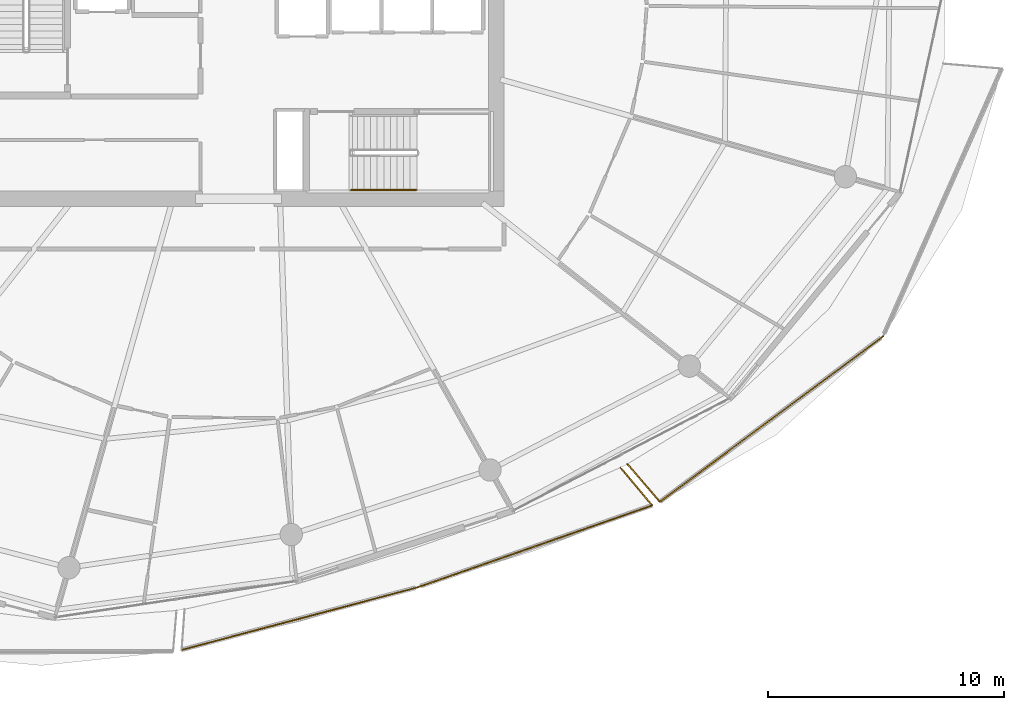
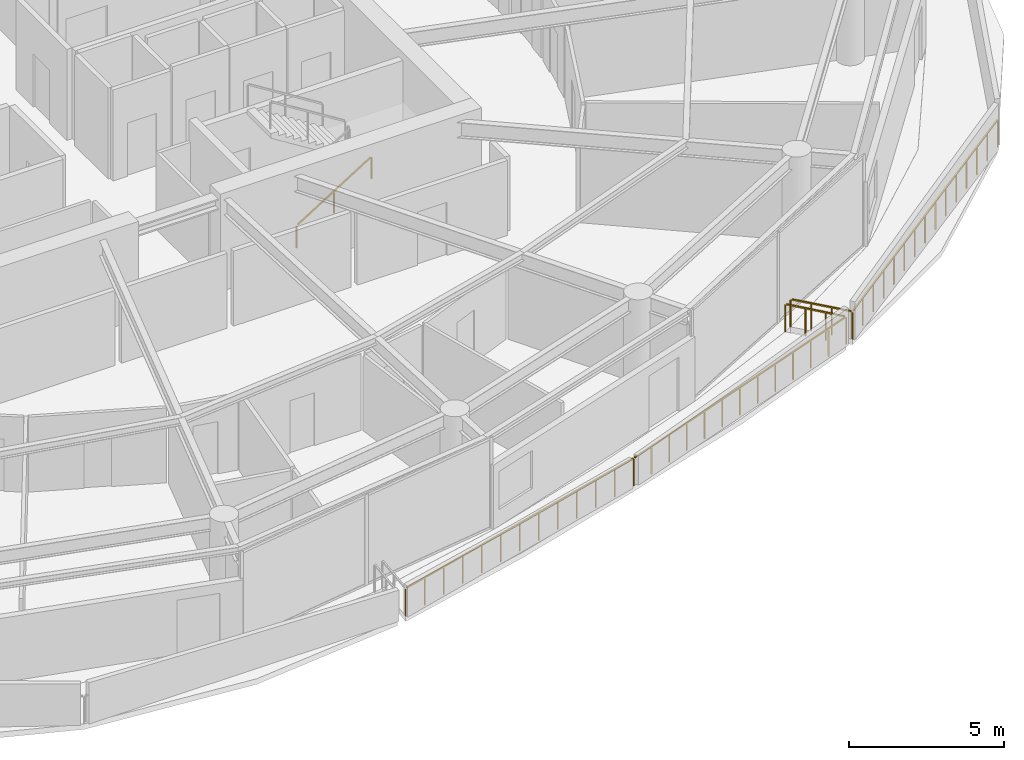
# One storey, part 27 of 31: 6 railings.
"""IFC4 building model written with IfcOpenShell, lengths in metres."""

from ifc_helpers import new_model, si_unit, direction, frame, origin, origin_2d, place, context, subcontext, project, spatial, rectangle, extrude, material, type_object, element, save


model = new_model("IFC4")

# Units and contexts
model_context = context("Model", 3, precision=1e-05, world=origin(), true_north=direction((0.0, 1.0)))
body_context = subcontext(model_context, "Body", "Model", "MODEL_VIEW")
ifc_project = project(units=[si_unit("LENGTHUNIT", "METRE"), si_unit("AREAUNIT", "SQUARE_METRE"), si_unit("VOLUMEUNIT", "CUBIC_METRE"), si_unit("PLANEANGLEUNIT", "RADIAN"), si_unit("MASSUNIT", "GRAM", prefix="KILO")], contexts=[model_context])

# Site, building, storey
site_placement = place(None, origin())
site = spatial("IfcSite", under=ifc_project, at=site_placement, CompositionType="ELEMENT")
building_placement = place(site_placement, origin())
building = spatial("IfcBuilding", under=site, at=building_placement, Name="Kazma Halo Residences", CompositionType="ELEMENT")
storey_placement = place(building_placement, frame((0.0, 0.0, 248.25)))
storey = spatial("IfcBuildingStorey", under=building, at=storey_placement, Name="L62", CompositionType="ELEMENT", Elevation=248.25)

# Railings
ifc_material_1 = material(Name="Aluminium AW-6063 T6 Brushed Cap Rail", Category="aluminium")
railing_type_1 = type_object("IfcRailingType", Name="RLG-BAL-CAP-1120", PredefinedType="BALUSTRADE", material=ifc_material_1)
railing_1_placement = place(storey_placement, frame((46.006591796875, 14.52734375, 0.0)))
element("IfcRailing", 1, at=railing_1_placement, inside=storey, type_object=railing_type_1, Name="L62 SSE wave balcony guard 2", PredefinedType="BALUSTRADE", context=body_context, shape_type="SweptSolid", body=[
    extrude(rectangle(XDim=0.050048828125, YDim=0.050048828125, at=origin_2d()), frame((0.041015625, 0.010986328125, 1.09521484375), z_axis=(0.966571887032, 0.256395762836, 0.0), x_axis=(-0.256395762836, 0.966571887032, 0.0)), (0.0, 0.0, 1.0), 10.31591796875),
    extrude(rectangle(XDim=0.0400390625, YDim=0.0400390625, at=origin_2d()), origin(), (0.0, 0.0, 1.0), 1.05810546875),
    extrude(rectangle(XDim=0.0400390625, YDim=0.0400390625, at=origin_2d()), frame((0.837890625, 0.22216796875, 0.0)), (0.0, 0.0, 1.0), 1.05810546875),
    extrude(rectangle(XDim=0.0400390625, YDim=0.0400390625, at=origin_2d()), frame((1.675537109375, 0.4443359375, 0.0)), (0.0, 0.0, 1.0), 1.05810546875),
    extrude(rectangle(XDim=0.0400390625, YDim=0.0400390625, at=origin_2d()), frame((2.51318359375, 0.666748046875, 0.0)), (0.0, 0.0, 1.0), 1.05810546875),
    extrude(rectangle(XDim=0.0400390625, YDim=0.0400390625, at=origin_2d()), frame((3.35107421875, 0.888916015625, 0.0)), (0.0, 0.0, 1.0), 1.05810546875),
    extrude(rectangle(XDim=0.0400390625, YDim=0.0400390625, at=origin_2d()), frame((4.18896484375, 1.111083984375, 0.0)), (0.0, 0.0, 1.0), 1.05810546875),
    extrude(rectangle(XDim=0.0400390625, YDim=0.0400390625, at=origin_2d()), frame((5.026611328125, 1.33349609375, 0.0)), (0.0, 0.0, 1.0), 1.05810546875),
    extrude(rectangle(XDim=0.0400390625, YDim=0.0400390625, at=origin_2d()), frame((5.8642578125, 1.5556640625, 0.0)), (0.0, 0.0, 1.0), 1.05810546875),
    extrude(rectangle(XDim=0.0400390625, YDim=0.0400390625, at=origin_2d()), frame((6.7021484375, 1.77783203125, 0.0)), (0.0, 0.0, 1.0), 1.05810546875),
    extrude(rectangle(XDim=0.0400390625, YDim=0.0400390625, at=origin_2d()), frame((7.5400390625, 2.0, 0.0)), (0.0, 0.0, 1.0), 1.05810546875),
    extrude(rectangle(XDim=0.0400390625, YDim=0.0400390625, at=origin_2d()), frame((8.377685546875, 2.22216796875, 0.0)), (0.0, 0.0, 1.0), 1.05810546875),
    extrude(rectangle(XDim=0.0400390625, YDim=0.0400390625, at=origin_2d()), frame((9.21533203125, 2.444580078125, 0.0)), (0.0, 0.0, 1.0), 1.05810546875),
    extrude(rectangle(XDim=0.0400390625, YDim=0.0400390625, at=origin_2d()), frame((10.05322265625, 2.666748046875, 0.0)), (0.0, 0.0, 1.0), 1.05810546875),
])
railing_2_placement = place(storey_placement, frame((56.059814453125, 17.194091796875, 0.0)))
element("IfcRailing", 2, at=railing_2_placement, inside=storey, type_object=railing_type_1, Name="L62 SSE wave balcony guard 3", PredefinedType="BALUSTRADE", context=body_context, shape_type="SweptSolid", body=[
    extrude(rectangle(XDim=0.050048828125, YDim=0.050048828125, at=origin_2d()), frame((0.0400390625, 0.013916015625, 1.09521484375), z_axis=(0.943997856529, 0.329951582612, 0.0), x_axis=(-0.329951582612, 0.943997856529, 0.0)), (0.0, 0.0, 1.0), 10.4404296875),
    extrude(rectangle(XDim=0.0400390625, YDim=0.0400390625, at=origin_2d()), origin(), (0.0, 0.0, 1.0), 1.05810546875),
    extrude(rectangle(XDim=0.0400390625, YDim=0.0400390625, at=origin_2d()), frame((0.828125, 0.289306640625, 0.0)), (0.0, 0.0, 1.0), 1.05810546875),
    extrude(rectangle(XDim=0.0400390625, YDim=0.0400390625, at=origin_2d()), frame((1.656005859375, 0.578857421875, 0.0)), (0.0, 0.0, 1.0), 1.05810546875),
    extrude(rectangle(XDim=0.0400390625, YDim=0.0400390625, at=origin_2d()), frame((2.48388671875, 0.8681640625, 0.0)), (0.0, 0.0, 1.0), 1.05810546875),
    extrude(rectangle(XDim=0.0400390625, YDim=0.0400390625, at=origin_2d()), frame((3.31201171875, 1.15771484375, 0.0)), (0.0, 0.0, 1.0), 1.05810546875),
    extrude(rectangle(XDim=0.0400390625, YDim=0.0400390625, at=origin_2d()), frame((4.14013671875, 1.447021484375, 0.0)), (0.0, 0.0, 1.0), 1.05810546875),
    extrude(rectangle(XDim=0.0400390625, YDim=0.0400390625, at=origin_2d()), frame((4.968017578125, 1.736328125, 0.0)), (0.0, 0.0, 1.0), 1.05810546875),
    extrude(rectangle(XDim=0.0400390625, YDim=0.0400390625, at=origin_2d()), frame((5.7958984375, 2.02587890625, 0.0)), (0.0, 0.0, 1.0), 1.05810546875),
    extrude(rectangle(XDim=0.0400390625, YDim=0.0400390625, at=origin_2d()), frame((6.6240234375, 2.315185546875, 0.0)), (0.0, 0.0, 1.0), 1.05810546875),
    extrude(rectangle(XDim=0.0400390625, YDim=0.0400390625, at=origin_2d()), frame((7.4521484375, 2.604736328125, 0.0)), (0.0, 0.0, 1.0), 1.05810546875),
    extrude(rectangle(XDim=0.0400390625, YDim=0.0400390625, at=origin_2d()), frame((8.280029296875, 2.89404296875, 0.0)), (0.0, 0.0, 1.0), 1.05810546875),
    extrude(rectangle(XDim=0.0400390625, YDim=0.0400390625, at=origin_2d()), frame((9.10791015625, 3.18359375, 0.0)), (0.0, 0.0, 1.0), 1.05810546875),
    extrude(rectangle(XDim=0.0400390625, YDim=0.0400390625, at=origin_2d()), frame((9.93603515625, 3.472900390625, 0.0)), (0.0, 0.0, 1.0), 1.05810546875),
])
railing_3_placement = place(storey_placement, frame((65.995849609375, 20.6669921875, 0.0)))
element("IfcRailing", 3, at=railing_3_placement, inside=storey, type_object=railing_type_1, Name="L62 SSE wave balcony guard 4", PredefinedType="BALUSTRADE", context=body_context, shape_type="SweptSolid", body=[
    extrude(rectangle(XDim=0.050048828125, YDim=0.050048828125, at=origin_2d()), frame((-0.02734375, 0.032470703125, 1.09521484375), z_axis=(-0.644813519354, 0.764339927819, 0.0), x_axis=(-0.764339927819, -0.644813519354, 0.0)), (0.0, 0.0, 1.0), 2.010498046875),
    extrude(rectangle(XDim=0.0400390625, YDim=0.0400390625, at=origin_2d()), origin(), (0.0, 0.0, 1.0), 1.05810546875),
    extrude(rectangle(XDim=0.0400390625, YDim=0.0400390625, at=origin_2d()), frame((-0.450439453125, 0.533935546875, 0.0)), (0.0, 0.0, 1.0), 1.05810546875),
    extrude(rectangle(XDim=0.0400390625, YDim=0.0400390625, at=origin_2d()), frame((-0.90087890625, 1.06787109375, 0.0)), (0.0, 0.0, 1.0), 1.05810546875),
    extrude(rectangle(XDim=0.0400390625, YDim=0.0400390625, at=origin_2d()), frame((-1.351318359375, 1.601806640625, 0.0)), (0.0, 0.0, 1.0), 1.05810546875),
])
railing_4_placement = place(storey_placement, frame((64.93212890625, 22.41845703125, 0.0)))
element("IfcRailing", 4, at=railing_4_placement, inside=storey, type_object=railing_type_1, Name="L62 SE wave balcony guard 1", PredefinedType="BALUSTRADE", context=body_context, shape_type="SweptSolid", body=[
    extrude(rectangle(XDim=0.050048828125, YDim=0.050048828125, at=origin_2d()), frame((0.02783203125, -0.0322265625, 1.09521484375), z_axis=(0.65411453311, -0.756395516628, 0.0), x_axis=(0.756395516628, 0.65411453311, 0.0)), (0.0, 0.0, 1.0), 2.034423828125),
    extrude(rectangle(XDim=0.0400390625, YDim=0.0400390625, at=origin_2d()), origin(), (0.0, 0.0, 1.0), 1.05810546875),
    extrude(rectangle(XDim=0.0400390625, YDim=0.0400390625, at=origin_2d()), frame((0.462158203125, -0.534423828125, 0.0)), (0.0, 0.0, 1.0), 1.05810546875),
    extrude(rectangle(XDim=0.0400390625, YDim=0.0400390625, at=origin_2d()), frame((0.92431640625, -1.06884765625, 0.0)), (0.0, 0.0, 1.0), 1.05810546875),
    extrude(rectangle(XDim=0.0400390625, YDim=0.0400390625, at=origin_2d()), frame((1.386474609375, -1.603271484375, 0.0)), (0.0, 0.0, 1.0), 1.05810546875),
])
railing_5_placement = place(storey_placement, frame((66.318603515625, 20.815185546875, 0.0)))
element("IfcRailing", 5, at=railing_5_placement, inside=storey, type_object=railing_type_1, Name="L62 SE wave balcony guard 2", PredefinedType="BALUSTRADE", context=body_context, shape_type="SweptSolid", body=[
    extrude(rectangle(XDim=0.050048828125, YDim=0.050048828125, at=origin_2d()), frame((0.0341796875, 0.025390625, 1.09521484375), z_axis=(0.803328675668, 0.595535925742, 0.0), x_axis=(-0.595535925742, 0.803328675668, 0.0)), (0.0, 0.0, 1.0), 11.708740234375),
    extrude(rectangle(XDim=0.0400390625, YDim=0.0400390625, at=origin_2d()), origin(), (0.0, 0.0, 1.0), 1.05810546875),
    extrude(rectangle(XDim=0.0400390625, YDim=0.0400390625, at=origin_2d()), frame((0.6767578125, 0.501708984375, 0.0)), (0.0, 0.0, 1.0), 1.05810546875),
    extrude(rectangle(XDim=0.0400390625, YDim=0.0400390625, at=origin_2d()), frame((1.353515625, 1.00341796875, 0.0)), (0.0, 0.0, 1.0), 1.05810546875),
    extrude(rectangle(XDim=0.0400390625, YDim=0.0400390625, at=origin_2d()), frame((2.0302734375, 1.505126953125, 0.0)), (0.0, 0.0, 1.0), 1.05810546875),
    extrude(rectangle(XDim=0.0400390625, YDim=0.0400390625, at=origin_2d()), frame((2.70703125, 2.0068359375, 0.0)), (0.0, 0.0, 1.0), 1.05810546875),
    extrude(rectangle(XDim=0.0400390625, YDim=0.0400390625, at=origin_2d()), frame((3.3837890625, 2.508544921875, 0.0)), (0.0, 0.0, 1.0), 1.05810546875),
    extrude(rectangle(XDim=0.0400390625, YDim=0.0400390625, at=origin_2d()), frame((4.060546875, 3.01025390625, 0.0)), (0.0, 0.0, 1.0), 1.05810546875),
    extrude(rectangle(XDim=0.0400390625, YDim=0.0400390625, at=origin_2d()), frame((4.7373046875, 3.51171875, 0.0)), (0.0, 0.0, 1.0), 1.05810546875),
    extrude(rectangle(XDim=0.0400390625, YDim=0.0400390625, at=origin_2d()), frame((5.413818359375, 4.013427734375, 0.0)), (0.0, 0.0, 1.0), 1.05810546875),
    extrude(rectangle(XDim=0.0400390625, YDim=0.0400390625, at=origin_2d()), frame((6.090576171875, 4.51513671875, 0.0)), (0.0, 0.0, 1.0), 1.05810546875),
    extrude(rectangle(XDim=0.0400390625, YDim=0.0400390625, at=origin_2d()), frame((6.767333984375, 5.016845703125, 0.0)), (0.0, 0.0, 1.0), 1.05810546875),
    extrude(rectangle(XDim=0.0400390625, YDim=0.0400390625, at=origin_2d()), frame((7.444091796875, 5.5185546875, 0.0)), (0.0, 0.0, 1.0), 1.05810546875),
    extrude(rectangle(XDim=0.0400390625, YDim=0.0400390625, at=origin_2d()), frame((8.120849609375, 6.020263671875, 0.0)), (0.0, 0.0, 1.0), 1.05810546875),
    extrude(rectangle(XDim=0.0400390625, YDim=0.0400390625, at=origin_2d()), frame((8.797607421875, 6.52197265625, 0.0)), (0.0, 0.0, 1.0), 1.05810546875),
    extrude(rectangle(XDim=0.0400390625, YDim=0.0400390625, at=origin_2d()), frame((9.474365234375, 7.023681640625, 0.0)), (0.0, 0.0, 1.0), 1.05810546875),
])
ifc_material_2 = material(Name="Brushed Stainless Steel", Category="steel")
railing_type_2 = type_object("IfcRailingType", Name="RLG-STAIR-HND-900", PredefinedType="HANDRAIL", material=ifc_material_2)
railing_6_placement = place(storey_placement, frame((53.199951171875, 34.050048828125, 0.175048828125)))
element("IfcRailing", 6, at=railing_6_placement, inside=storey, type_object=railing_type_2, Name="L62 ST-03 stair handrail 1", PredefinedType="HANDRAIL", context=body_context, shape_type="SweptSolid", body=[
    extrude(rectangle(XDim=0.050048828125, YDim=0.050048828125, at=origin_2d()), frame((0.0361328125, 0.0, 0.8974609375), z_axis=(0.848002457836, 0.0, 0.529992293815), x_axis=(0.0, 1.0, 0.0)), (0.0, 0.0, 1.0), 3.216796875),
    extrude(rectangle(XDim=0.0400390625, YDim=0.0400390625, at=origin_2d()), origin(), (0.0, 0.0, 1.0), 0.837890625),
    extrude(rectangle(XDim=0.0400390625, YDim=0.0400390625, at=origin_2d()), frame((1.39990234375, 0.0, 0.875)), (0.0, 0.0, 1.0), 0.837890625),
    extrude(rectangle(XDim=0.0400390625, YDim=0.0400390625, at=origin_2d()), frame((2.800048828125, 0.0, 1.75)), (0.0, 0.0, 1.0), 0.837890625),
])

save(model, "model.ifc")
